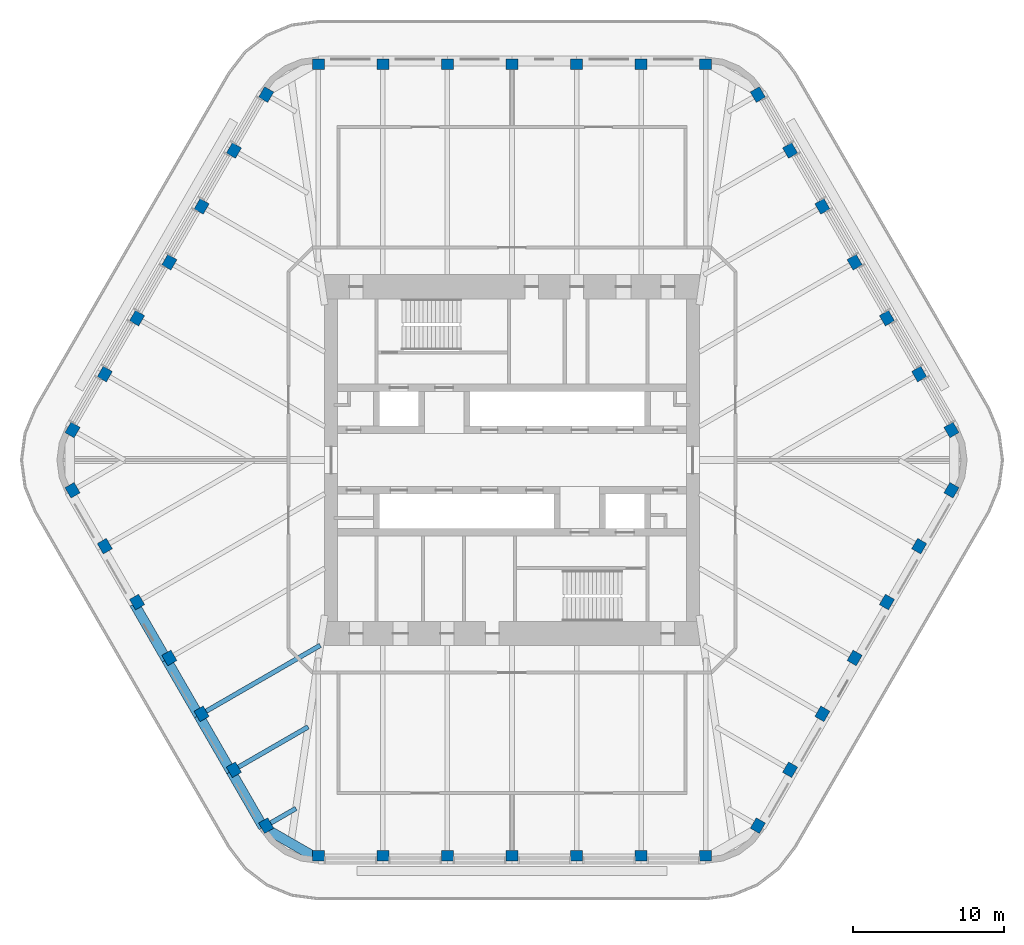
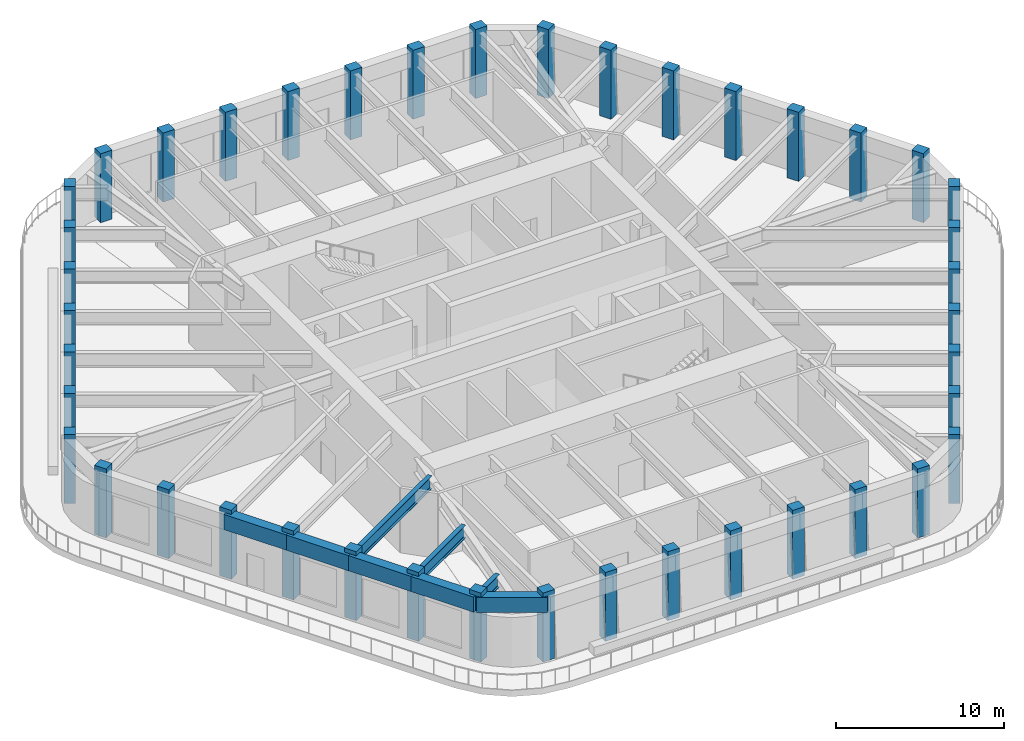
# One storey, part 1 of 13: 42 columns, 8 beams.
"""IFC4 building model written with IfcOpenShell, lengths in metres."""

import ifcopenshell
import ifcopenshell.guid

model = None  # the IFC model being written
_history = None  # IfcOwnerHistory: only IFC2X3 demands one
_inside = {}  # id of a spatial element -> (the spatial element, [elements in it])
_under = {}  # id of a project, library or spatial element -> (it, [spatial elements below it])
_declared = {}  # id of a project -> (the project, [libraries it declares])
_typed = {}  # id of a type object -> (the type object, [elements of that type])
_made_of = {}  # id of a material, layer set ... -> (it, [elements and type objects made of it])


def new_model(schema):
    """Start an empty IFC model of exactly this schema.

    Asked for "IFC4X3", IfcOpenShell would pick the latest addendum, in which some entities
    have other attributes; the version numbers below select the first issue.
    IFC2X3 requires an IfcOwnerHistory on every rooted entity: one is made here for all.
    """
    global model, _history
    if schema == "IFC4X3":
        model = ifcopenshell.file(schema_version=(4, 3, 0, 0))
    else:
        model = ifcopenshell.file(schema=schema)
    _inside.clear()
    _under.clear()
    _declared.clear()
    _typed.clear()
    _made_of.clear()
    _history = None
    if model.schema == "IFC2X3":
        org = make("IfcOrganization", Name="unknown")
        user = make(
            "IfcPersonAndOrganization",
            ThePerson=make("IfcPerson", FamilyName="unknown"),
            TheOrganization=org,
        )
        app = make(
            "IfcApplication",
            ApplicationDeveloper=org,
            Version="unknown",
            ApplicationFullName="unknown",
            ApplicationIdentifier="unknown",
        )
        _history = make(
            "IfcOwnerHistory",
            OwningUser=user,
            OwningApplication=app,
            ChangeAction="ADDED",
            CreationDate=0,
        )
    return model


def make(cls, **values):
    """One entity of the class cls with the attributes given. An attribute that is None is left unset."""
    return model.create_entity(
        cls, **{name: value for name, value in values.items() if value is not None}
    )


def rooted(cls, **values):
    """An entity with a GlobalId (a new one), such as an element, a storey or a relation."""
    return make(cls, GlobalId=ifcopenshell.guid.new(), OwnerHistory=_history, **values)


def si_unit(unit_type, name, prefix=None):
    """IfcSIUnit, for example si_unit("LENGTHUNIT", "METRE", prefix="MILLI")."""
    return make("IfcSIUnit", UnitType=unit_type, Prefix=prefix, Name=name)


def assignment(units):
    """IfcUnitAssignment: the units of a project."""
    return None if units is None else make("IfcUnitAssignment", Units=units)


def point(xyz):
    """IfcCartesianPoint."""
    return None if xyz is None else make("IfcCartesianPoint", Coordinates=xyz)


def direction(xyz):
    """IfcDirection."""
    return None if xyz is None else make("IfcDirection", DirectionRatios=xyz)


def frame(location, z_axis=None, x_axis=None):
    """IfcAxis2Placement3D, a coordinate frame: its origin and axes. An axis left out is left unset."""
    return make(
        "IfcAxis2Placement3D",
        Location=point(location),
        Axis=direction(z_axis),
        RefDirection=direction(x_axis),
    )


def frame_2d(location, x_axis=None):
    """IfcAxis2Placement2D, a coordinate frame in the plane: its origin and x axis."""
    return make(
        "IfcAxis2Placement2D", Location=point(location), RefDirection=direction(x_axis)
    )


def origin():
    """The frame at (0, 0, 0) with its axes left unset."""
    return frame((0.0, 0.0, 0.0))


def origin_2d():
    """The frame at (0, 0) in the plane with its x axis left unset."""
    return frame_2d((0.0, 0.0))


def place(relative_to, where):
    """IfcLocalPlacement: puts the frame where relative to a parent placement (None: the world)."""
    return make(
        "IfcLocalPlacement", PlacementRelTo=relative_to, RelativePlacement=where
    )


def context(
    kind, dimensions, precision=None, world=None, true_north=None, identifier=None
):
    """IfcGeometricRepresentationContext, for example the 3D "Model" context."""
    return make(
        "IfcGeometricRepresentationContext",
        ContextIdentifier=identifier,
        ContextType=kind,
        CoordinateSpaceDimension=dimensions,
        Precision=precision,
        WorldCoordinateSystem=world,
        TrueNorth=true_north,
    )


def subcontext(parent, identifier, kind, view, scale=None):
    """IfcGeometricRepresentationSubContext, for example "Body" below "Model"."""
    return make(
        "IfcGeometricRepresentationSubContext",
        ContextIdentifier=identifier,
        ContextType=kind,
        ParentContext=parent,
        TargetScale=scale,
        TargetView=view,
    )


def project(units=None, contexts=None):
    """IfcProject with its units and contexts."""
    return rooted(
        "IfcProject",
        Name="project",
        RepresentationContexts=contexts,
        UnitsInContext=assignment(units),
    )


def spatial(cls, under=None, at=None, **own):
    """A site, building, storey or space (cls), placed at a placement, below another one or the project."""
    s = rooted(cls, ObjectPlacement=at, **own)
    if under is not None:
        _under.setdefault(under.id(), (under, []))[1].append(s)
    return s


def profile(cls, at=None, kind="AREA", **sizes):
    """A parametric profile (cls). Its sizes go by their IFC names, for example OverallWidth=200.0."""
    return make(cls, ProfileType=kind, Position=at, **sizes)


def rectangle(**sizes):
    """IfcRectangleProfileDef."""
    return profile("IfcRectangleProfileDef", **sizes)


def i_section(**sizes):
    """IfcIShapeProfileDef."""
    return profile("IfcIShapeProfileDef", **sizes)


def extrude(swept, where, along, depth):
    """IfcExtrudedAreaSolid: the profile swept, set in the frame where, extruded along a direction by depth."""
    return make(
        "IfcExtrudedAreaSolid",
        SweptArea=swept,
        Position=where,
        ExtrudedDirection=direction(along),
        Depth=depth,
    )


def shape(context_of_items, identifier, shape_type, items):
    """IfcShapeRepresentation: the items that make up one representation, for example the "Body"."""
    return make(
        "IfcShapeRepresentation",
        ContextOfItems=context_of_items,
        RepresentationIdentifier=identifier,
        RepresentationType=shape_type,
        Items=items,
    )


def material(Name=None, Category=None):
    """IfcMaterial."""
    return make("IfcMaterial", Name=Name, Category=Category)


def material_profile(
    of_material, cross_section, Name=None, Category=None, Priority=None
):
    """IfcMaterialProfile: a cross section and its material."""
    return make(
        "IfcMaterialProfile",
        Name=Name,
        Material=of_material,
        Profile=cross_section,
        Priority=Priority,
        Category=Category,
    )


def profile_set(profiles, Name=None, composite=None):
    """IfcMaterialProfileSet."""
    return make(
        "IfcMaterialProfileSet",
        Name=Name,
        MaterialProfiles=profiles,
        CompositeProfile=composite,
    )


def made_of(thing, what):
    """Note that an element or type object is made of a material, layer set ...; save() writes the relation."""
    if what is not None:
        _made_of.setdefault(what.id(), (what, []))[1].append(thing)
    return thing


def type_object(cls, material=None, **own):
    """A type object (cls), such as IfcWallType, which elements share."""
    return made_of(rooted(cls, **own), material)


def element(
    cls,
    number,
    at=None,
    inside=None,
    cuts=None,
    type_object=None,
    material=None,
    context=None,
    identifier="Body",
    shape_type=None,
    held_by="IfcProductDefinitionShape",
    body=None,
    shapes=None,
    **own,
):
    """One element of the class cls, such as IfcWall. Its Tag is "e" and its number.

    at: its placement. inside: the storey or other place that contains it. cuts: it is an
    opening in that element (IfcRelVoidsElement). A single representation is given by context,
    identifier, shape_type and body (its items); several are given by shapes. held_by: the class
    of the entity that holds the representations. save() writes the other relations.
    """
    e = rooted(cls, Tag="e%d" % number, ObjectPlacement=at, **own)
    if body is not None:
        shapes = [shape(context, identifier, shape_type, body)]
    if shapes is not None:
        e.Representation = make(held_by, Representations=shapes)
    if inside is not None:
        _inside.setdefault(inside.id(), (inside, []))[1].append(e)
    if cuts is not None:
        rooted(
            "IfcRelVoidsElement", RelatingBuildingElement=cuts, RelatedOpeningElement=e
        )
    if type_object is not None:
        _typed.setdefault(type_object.id(), (type_object, []))[1].append(e)
    return made_of(e, material)


def aggregate(whole, parts):
    """IfcRelAggregates: a whole, such as a stair, and the parts it consists of."""
    return rooted("IfcRelAggregates", RelatingObject=whole, RelatedObjects=parts)


def save(model, path):
    """Write the relations noted so far, then the file.

    IfcRelAggregates (storeys below a building ...), IfcRelContainedInSpatialStructure (elements
    in a storey), IfcRelDefinesByType, IfcRelAssociatesMaterial and IfcRelDeclares: one each for
    every whole, place, type object, material and project.
    """
    for whole, parts in _under.values():
        aggregate(whole, parts)
    for where, things in _inside.values():
        rooted(
            "IfcRelContainedInSpatialStructure",
            RelatedElements=things,
            RelatingStructure=where,
        )
    for kind, things in _typed.values():
        rooted("IfcRelDefinesByType", RelatedObjects=things, RelatingType=kind)
    for what, things in _made_of.values():
        rooted("IfcRelAssociatesMaterial", RelatedObjects=things, RelatingMaterial=what)
    for by, libraries in _declared.values():
        rooted("IfcRelDeclares", RelatingContext=by, RelatedDefinitions=libraries)
    model.write(path)


model = new_model("IFC4")

# Units and contexts
model_context = context("Model", 3, precision=1e-05, world=origin(), true_north=direction((0.0, 1.0)))
body_context = subcontext(model_context, "Body", "Model", "MODEL_VIEW")
ifc_project = project(units=[si_unit("LENGTHUNIT", "METRE"), si_unit("AREAUNIT", "SQUARE_METRE"), si_unit("VOLUMEUNIT", "CUBIC_METRE"), si_unit("PLANEANGLEUNIT", "RADIAN"), si_unit("MASSUNIT", "GRAM", prefix="KILO")], contexts=[model_context])

# Site, building, storey
site_placement = place(None, origin())
site = spatial("IfcSite", under=ifc_project, at=site_placement, CompositionType="ELEMENT")
building_placement = place(site_placement, origin())
building = spatial("IfcBuilding", under=site, at=building_placement, Name="Tarfa Lantern Tower", CompositionType="ELEMENT")
storey_placement = place(building_placement, frame((0.0, 0.0, 391.300048828125)))
storey = spatial("IfcBuildingStorey", under=building, at=storey_placement, Name="L89", CompositionType="ELEMENT", Elevation=391.300048828125)

# Columns
ifc_material_1 = material(Name="Concrete C80/95", Category="concrete")
ifc_material_profile_1 = material_profile(ifc_material_1, rectangle(XDim=0.800048828125, YDim=0.699951171875, at=origin_2d()), Name="RC 800x700")
ifc_profile_set_1 = profile_set([ifc_material_profile_1], Name="Concrete C80/95")
column_type = type_object("IfcColumnType", Name="TC16 RC 800x700", PredefinedType="COLUMN", material=ifc_profile_set_1)
for number, where, z_axis, x_axis, name in (
    (1, (29.15625, 2.0, 0.0), (0.0, 0.0, 1.0), (-0.5, 0.866025403784, 0.0), "Tube column NE0"),
    (2, (27.01513671875, 5.708251953125, 0.0), (0.0, 0.0, 1.0), (-0.5, 0.866025403784, 0.0), "Tube column NE1"),
    (3, (24.874267578125, 9.416748046875, 0.0), (0.0, 0.0, 1.0), (-0.5, 0.866025403784, 0.0), "Tube column NE2"),
    (4, (22.733154296875, 13.125, 0.0), (0.0, 0.0, 1.0), (-0.5, 0.866025403784, 0.0), "Tube column NE3"),
    (5, (20.592041015625, 16.833251953125, 0.0), (0.0, 0.0, 1.0), (-0.5, 0.866025403784, 0.0), "Tube column NE4"),
    (6, (18.451171875, 20.541748046875, 0.0), (0.0, 0.0, 1.0), (-0.5, 0.866025403784, 0.0), "Tube column NE5"),
    (7, (16.31005859375, 24.25, 0.0), (0.0, 0.0, 1.0), (-0.5, 0.866025403784, 0.0), "Tube column NE6"),
    (8, (12.845947265625, 26.25, 0.0), (0.0, 0.0, 1.0), (-1.0, 0.0, 0.0), "Tube column N0"),
    (9, (8.56396484375, 26.25, 0.0), (0.0, 0.0, 1.0), (-1.0, 0.0, 0.0), "Tube column N1"),
    (10, (4.281982421875, 26.25, 0.0), (0.0, 0.0, 1.0), (-1.0, 0.0, 0.0), "Tube column N2"),
    (11, (0.0, 26.25, 0.0), (0.0, 0.0, 1.0), (-1.0, 0.0, 0.0), "Tube column N3"),
    (12, (-4.281982421875, 26.25, 0.0), (0.0, 0.0, 1.0), (-1.0, 0.0, 0.0), "Tube column N4"),
    (13, (-8.56396484375, 26.25, 0.0), (0.0, 0.0, 1.0), (-1.0, 0.0, 0.0), "Tube column N5"),
    (14, (-12.845947265625, 26.25, 0.0), (0.0, 0.0, 1.0), (-1.0, 0.0, 0.0), "Tube column N6"),
    (15, (-16.31005859375, 24.25, 0.0), (0.0, 0.0, 1.0), (-0.5, -0.866025403784, 0.0), "Tube column NW0"),
    (16, (-18.451171875, 20.541748046875, 0.0), (0.0, 0.0, 1.0), (-0.5, -0.866025403784, 0.0), "Tube column NW1"),
    (17, (-20.592041015625, 16.833251953125, 0.0), (0.0, 0.0, 1.0), (-0.5, -0.866025403784, 0.0), "Tube column NW2"),
    (18, (-22.733154296875, 13.125, 0.0), (0.0, 0.0, 1.0), (-0.5, -0.866025403784, 0.0), "Tube column NW3"),
    (19, (-24.874267578125, 9.416748046875, 0.0), (0.0, 0.0, 1.0), (-0.5, -0.866025403784, 0.0), "Tube column NW4"),
    (20, (-27.01513671875, 5.708251953125, 0.0), (0.0, 0.0, 1.0), (-0.5, -0.866025403784, 0.0), "Tube column NW5"),
    (21, (-29.15625, 2.0, 0.0), (0.0, 0.0, 1.0), (-0.5, -0.866025403784, 0.0), "Tube column NW6"),
    (22, (-29.15625, -2.0, 0.0), (0.0, 0.0, 1.0), (0.5, -0.866025403784, 0.0), "Tube column SW0"),
    (23, (-27.01513671875, -5.708251953125, 0.0), (0.0, 0.0, 1.0), (0.5, -0.866025403784, 0.0), "Tube column SW1"),
    (24, (-24.874267578125, -9.416748046875, 0.0), (0.0, 0.0, 1.0), (0.5, -0.866025403784, 0.0), "Tube column SW2"),
    (25, (-22.733154296875, -13.125, 0.0), (0.0, 0.0, 1.0), (0.5, -0.866025403784, 0.0), "Tube column SW3"),
    (26, (-20.592041015625, -16.833251953125, 0.0), (0.0, 0.0, 1.0), (0.5, -0.866025403784, 0.0), "Tube column SW4"),
    (27, (-18.451171875, -20.541748046875, 0.0), (0.0, 0.0, 1.0), (0.5, -0.866025403784, 0.0), "Tube column SW5"),
    (28, (-16.31005859375, -24.25, 0.0), (0.0, 0.0, 1.0), (0.5, -0.866025403784, 0.0), "Tube column SW6"),
    (29, (-12.845947265625, -26.25, 0.0), (0.0, 0.0, 1.0), (1.0, 0.0, 0.0), "Tube column S0"),
    (30, (-8.56396484375, -26.25, 0.0), (0.0, 0.0, 1.0), (1.0, 0.0, 0.0), "Tube column S1"),
    (31, (-4.281982421875, -26.25, 0.0), (0.0, 0.0, 1.0), (1.0, 0.0, 0.0), "Tube column S2"),
    (32, (0.0, -26.25, 0.0), (0.0, 0.0, 1.0), (1.0, 0.0, 0.0), "Tube column S3"),
    (33, (4.281982421875, -26.25, 0.0), (0.0, 0.0, 1.0), (1.0, 0.0, 0.0), "Tube column S4"),
    (34, (8.56396484375, -26.25, 0.0), (0.0, 0.0, 1.0), (1.0, 0.0, 0.0), "Tube column S5"),
    (35, (12.845947265625, -26.25, 0.0), (0.0, 0.0, 1.0), (1.0, 0.0, 0.0), "Tube column S6"),
    (36, (16.31005859375, -24.25, 0.0), (0.0, 0.0, 1.0), (0.5, 0.866025403784, 0.0), "Tube column SE0"),
    (37, (18.451171875, -20.541748046875, 0.0), (0.0, 0.0, 1.0), (0.5, 0.866025403784, 0.0), "Tube column SE1"),
    (38, (20.592041015625, -16.833251953125, 0.0), (0.0, 0.0, 1.0), (0.5, 0.866025403784, 0.0), "Tube column SE2"),
    (39, (22.733154296875, -13.125, 0.0), (0.0, 0.0, 1.0), (0.5, 0.866025403784, 0.0), "Tube column SE3"),
    (40, (24.874267578125, -9.416748046875, 0.0), (0.0, 0.0, 1.0), (0.5, 0.866025403784, 0.0), "Tube column SE4"),
    (41, (27.01513671875, -5.708251953125, 0.0), (0.0, 0.0, 1.0), (0.5, 0.866025403784, 0.0), "Tube column SE5"),
    (42, (29.15625, -2.0, 0.0), (0.0, 0.0, 1.0), (0.5, 0.866025403784, 0.0), "Tube column SE6"),
):
    element("IfcColumn", number, at=place(storey_placement, frame(where, z_axis=z_axis, x_axis=x_axis)), inside=storey, type_object=column_type, Name=name, PredefinedType="COLUMN", context=body_context, shape_type="SweptSolid", body=[
        extrude(rectangle(XDim=0.800048828125, YDim=0.699951171875, at=origin_2d()), origin(), (0.0, 0.0, 1.0), 5.0),
    ])

# Beams
ifc_material_profile_2 = material_profile(ifc_material_1, rectangle(XDim=0.64990234375, YDim=1.10009765625, at=origin_2d()), Name="RC 650x1100")
ifc_profile_set_2 = profile_set([ifc_material_profile_2], Name="Concrete C80/95")
beam_type_1 = type_object("IfcBeamType", Name="EB4 RC 650x1100", PredefinedType="SPANDREL", material=ifc_profile_set_2)
beam_1_placement = place(storey_placement, frame((-25.064697265625, -9.526611328125, 4.14990234375), z_axis=(0.500002112793, -0.866024183959, 0.0), x_axis=(0.866024183959, 0.500002112793, 0.0)))
element("IfcBeam", 43, at=beam_1_placement, inside=storey, type_object=beam_type_1, Name="Edge beam SW2", PredefinedType="SPANDREL", context=body_context, shape_type="SweptSolid", body=[
    extrude(rectangle(XDim=0.64990234375, YDim=1.10009765625, at=origin_2d()), origin(), (0.0, 0.0, 1.0), 4.2822265625),
])
for number, where, z_axis, x_axis, name in (
    (44, (-22.923583984375, -13.235107421875, 4.14990234375), (0.499984039138, -0.866034618596, 0.0), (0.866034618596, 0.499984039138, 0.0), "Edge beam SW3"),
    (45, (-20.78271484375, -16.943359375, 4.14990234375), (0.500026801138, -0.866009929587, 0.0), (0.866009929587, 0.500026801138, 0.0), "Edge beam SW4"),
    (46, (-18.6416015625, -20.651611328125, 4.14990234375), (0.499959351497, -0.866048870937, 0.0), (0.866048870937, 0.499959351497, 0.0), "Edge beam SW5"),
):
    element("IfcBeam", number, at=place(storey_placement, frame(where, z_axis=z_axis, x_axis=x_axis)), inside=storey, type_object=beam_type_1, Name=name, PredefinedType="SPANDREL", context=body_context, shape_type="SweptSolid", body=[
        extrude(rectangle(XDim=0.64990234375, YDim=1.10009765625, at=origin_2d()), origin(), (0.0, 0.0, 1.0), 4.281982421875),
    ])
beam_2_placement = place(storey_placement, frame((-16.500732421875, -24.360107421875, 4.14990234375), z_axis=(0.866048788483, -0.499959494327, 0.0), x_axis=(0.499959494327, 0.866048788483, 0.0)))
element("IfcBeam", 47, at=beam_2_placement, inside=storey, type_object=beam_type_1, Name="Edge beam SW6", PredefinedType="SPANDREL", context=body_context, shape_type="SweptSolid", body=[
    extrude(rectangle(XDim=0.64990234375, YDim=1.10009765625, at=origin_2d()), origin(), (0.0, 0.0, 1.0), 4.219970703125),
])
ifc_material_2 = material(Name="Steel S460M", Category="steel")
ifc_material_profile_3 = material_profile(ifc_material_2, i_section(OverallWidth=0.305419921875, OverallDepth=0.91845703125, WebThickness=0.017333984375, FlangeThickness=0.02783203125, FilletRadius=0.01904296875, at=origin_2d()), Name="UB914x305x253")
ifc_profile_set_3 = profile_set([ifc_material_profile_3], Name="Steel S460M")
beam_type_2 = type_object("IfcBeamType", Name="UB914x305x253", PredefinedType="BEAM", material=ifc_profile_set_3)
beam_3_placement = place(storey_placement, frame((-20.78271484375, -16.943359375, 4.24072265625), z_axis=(0.866021806508, 0.500006230613, 0.0), x_axis=(-0.500006230613, 0.866021806508, 0.0)))
element("IfcBeam", 48, at=beam_3_placement, inside=storey, type_object=beam_type_2, Name="Floor beam SW4", PredefinedType="BEAM", context=body_context, shape_type="SweptSolid", body=[
    extrude(i_section(OverallWidth=0.305419921875, OverallDepth=0.91845703125, WebThickness=0.017333984375, FlangeThickness=0.02783203125, FilletRadius=0.01904296875, at=origin_2d()), origin(), (0.0, 0.0, 1.0), 9.30908203125),
])
beam_4_placement = place(storey_placement, frame((-18.6416015625, -20.651611328125, 4.24072265625), z_axis=(0.866024549157, 0.500001480256, 0.0), x_axis=(-0.500001480256, 0.866024549157, 0.0)))
element("IfcBeam", 49, at=beam_4_placement, inside=storey, type_object=beam_type_2, Name="Floor beam SW5", PredefinedType="BEAM", context=body_context, shape_type="SweptSolid", body=[
    extrude(i_section(OverallWidth=0.305419921875, OverallDepth=0.91845703125, WebThickness=0.017333984375, FlangeThickness=0.02783203125, FilletRadius=0.01904296875, at=origin_2d()), origin(), (0.0, 0.0, 1.0), 5.90771484375),
])
beam_5_placement = place(storey_placement, frame((-16.500732421875, -24.360107421875, 4.24072265625), z_axis=(0.865992557167, 0.500056887695, 0.0), x_axis=(-0.500056887695, 0.865992557167, 0.0)))
element("IfcBeam", 50, at=beam_5_placement, inside=storey, type_object=beam_type_2, Name="Floor beam SW6", PredefinedType="BEAM", context=body_context, shape_type="SweptSolid", body=[
    extrude(i_section(OverallWidth=0.305419921875, OverallDepth=0.91845703125, WebThickness=0.017333984375, FlangeThickness=0.02783203125, FilletRadius=0.01904296875, at=origin_2d()), origin(), (0.0, 0.0, 1.0), 2.506591796875),
])

save(model, "model.ifc")
